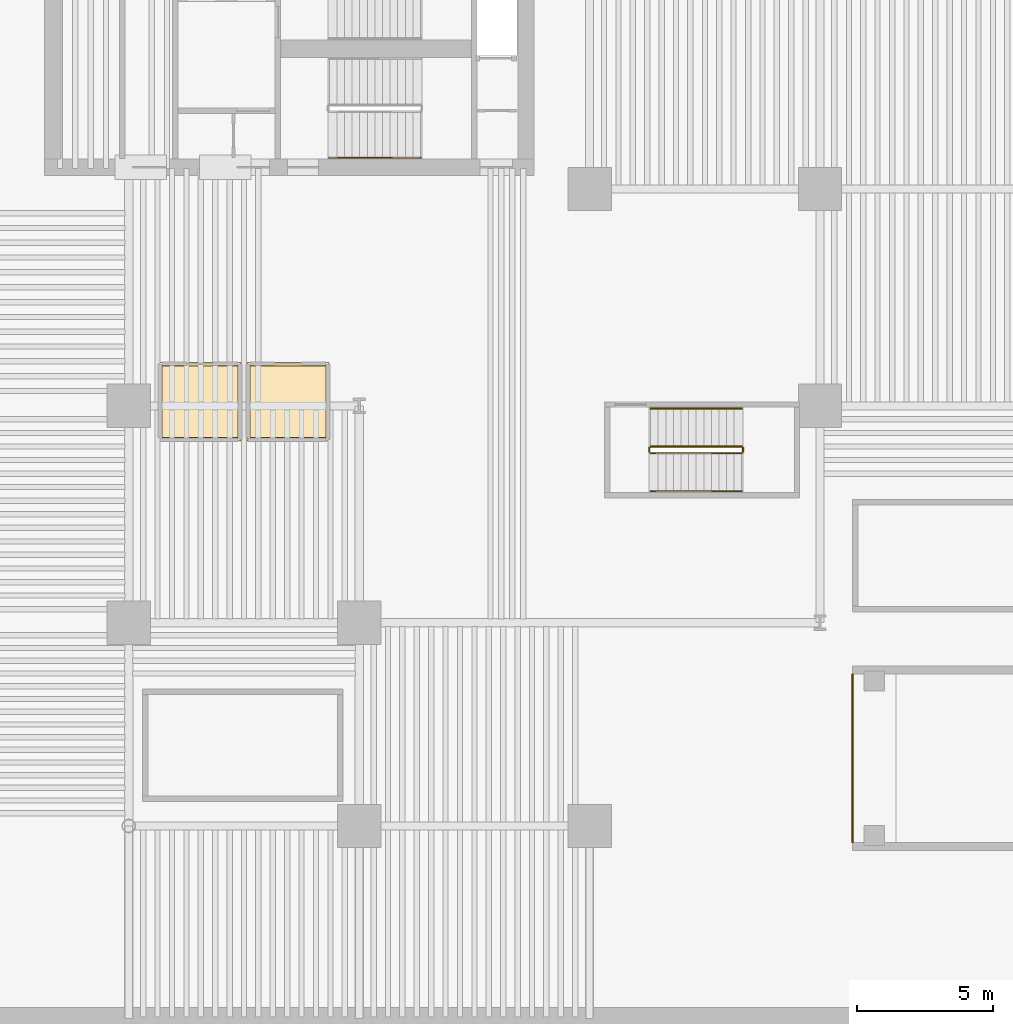
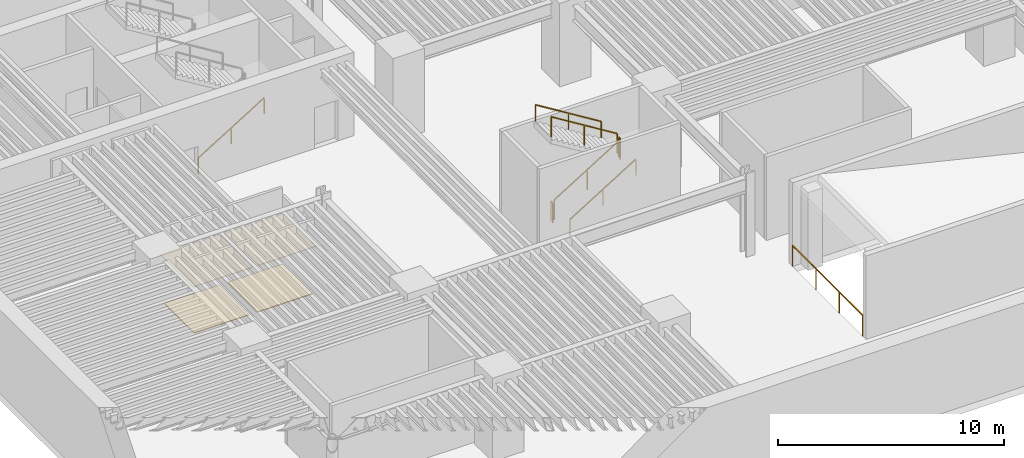
# One storey, part 6 of 9: 8 railings, 4 coverings.
"""IFC4 building model written with IfcOpenShell, lengths in metres."""

from ifc_helpers import new_model, si_unit, direction, frame, origin, origin_2d, place, context, subcontext, project, spatial, polyline, rectangle, outline, extrude, material, layer, layer_set, type_object, element, save


model = new_model("IFC4")

# Units and contexts
model_context = context("Model", 3, precision=1e-05, world=origin(), true_north=direction((0.0, 1.0)))
body_context = subcontext(model_context, "Body", "Model", "MODEL_VIEW")
ifc_project = project(units=[si_unit("LENGTHUNIT", "METRE"), si_unit("AREAUNIT", "SQUARE_METRE"), si_unit("VOLUMEUNIT", "CUBIC_METRE"), si_unit("PLANEANGLEUNIT", "RADIAN"), si_unit("MASSUNIT", "GRAM", prefix="KILO")], contexts=[model_context])

# Site, building, storey
site_placement = place(None, origin())
site = spatial("IfcSite", under=ifc_project, at=site_placement, CompositionType="ELEMENT")
building_placement = place(site_placement, origin())
building = spatial("IfcBuilding", under=site, at=building_placement, Name="Caeloran Harvest Quay", CompositionType="ELEMENT")
storey_placement = place(building_placement, frame((0.0, 0.0, -13.5)))
storey = spatial("IfcBuildingStorey", under=building, at=storey_placement, Name="B03", CompositionType="ELEMENT", Elevation=-13.5)

# Coverings
ifc_material_1 = material(Name="Perforated Mineral-Fibre Acoustic Ceiling Tile", Category="ceiling")
ifc_layer_1 = layer(ifc_material_1, 0.0400390625, Name="Perforated Mineral-Fibre Acoustic Ceiling Tile")
ifc_layer_set_1 = layer_set([ifc_layer_1], Name="Perforated Mineral-Fibre Acoustic Ceiling Tile")
covering_type_1 = type_object("IfcCoveringType", Name="COV-CEILING-ACOUSTIC", PredefinedType="CEILING", material=ifc_layer_set_1)
covering_1_placement = place(storey_placement, frame((0.0, 0.0, 2.60009765625)))
element("IfcCovering", 1, at=covering_1_placement, inside=storey, type_object=covering_type_1, Name="B03 Car Park Male Washroom WC Acoustic Ceiling", PredefinedType="CEILING", context=body_context, shape_type="SweptSolid", body=[
    extrude(outline(polyline([(12.639892578125, 24.590087890625), (12.639892578125, 21.7099609375), (9.610107421875, 21.7099609375), (9.610107421875, 24.590087890625), (12.639892578125, 24.590087890625)])), origin(), (0.0, 0.0, 1.0), 0.039794921875),
])
covering_2_placement = place(storey_placement, frame((0.0, 0.0, 2.60009765625)))
element("IfcCovering", 2, at=covering_2_placement, inside=storey, type_object=covering_type_1, Name="B03 Accessible Unisex Washroom WC Acoustic Ceiling", PredefinedType="CEILING", context=body_context, shape_type="SweptSolid", body=[
    extrude(outline(polyline([(15.889892578125, 24.590087890625), (15.889892578125, 21.7099609375), (12.860107421875, 21.7099609375), (12.860107421875, 24.590087890625), (15.889892578125, 24.590087890625)])), origin(), (0.0, 0.0, 1.0), 0.039794921875),
])
ifc_material_2 = material(Name="Calcium-Sulphate Raised Access Floor and Terrazzo Finish", Category="flooring")
ifc_layer_2 = layer(ifc_material_2, 0.050048828125, Name="Calcium-Sulphate Raised Access Floor and Terrazzo Finish")
ifc_layer_set_2 = layer_set([ifc_layer_2], Name="Calcium-Sulphate Raised Access Floor and Terrazzo Finish")
covering_type_2 = type_object("IfcCoveringType", Name="COV-FLOOR-RAISED", PredefinedType="FLOORING", material=ifc_layer_set_2)
covering_3_placement = place(storey_placement, origin())
element("IfcCovering", 3, at=covering_3_placement, inside=storey, type_object=covering_type_2, Name="B03 Car Park Male Washroom WC Raised Finish Flooring", PredefinedType="FLOORING", context=body_context, shape_type="SweptSolid", body=[
    extrude(outline(polyline([(12.52001953125, 24.469970703125), (12.52001953125, 21.830078125), (9.72998046875, 21.830078125), (9.72998046875, 24.469970703125), (12.52001953125, 24.469970703125)])), origin(), (0.0, 0.0, 1.0), 0.050048828125),
])
covering_4_placement = place(storey_placement, origin())
element("IfcCovering", 4, at=covering_4_placement, inside=storey, type_object=covering_type_2, Name="B03 Accessible Unisex Washroom WC Raised Finish Flooring", PredefinedType="FLOORING", context=body_context, shape_type="SweptSolid", body=[
    extrude(outline(polyline([(15.77001953125, 24.469970703125), (15.77001953125, 21.830078125), (12.97998046875, 21.830078125), (12.97998046875, 24.469970703125), (15.77001953125, 24.469970703125)])), origin(), (0.0, 0.0, 1.0), 0.050048828125),
])

# Railings
ifc_material_3 = material(Name="Powder-Coated Steel Post and Laminated Glass Guardrail", Category="steel")
ifc_layer_3 = layer(ifc_material_3, 0.06005859375, Name="Powder-Coated Steel Post and Laminated Glass Guardrail")
ifc_layer_set_3 = layer_set([ifc_layer_3], Name="Powder-Coated Steel Post and Laminated Glass Guardrail")
railing_type_1 = type_object("IfcRailingType", Name="GUARD-ATRIUM-1150", PredefinedType="GUARDRAIL", material=ifc_layer_set_3)
railing_1_placement = place(storey_placement, frame((35.199951171875, 6.89990234375, 0.0)))
element("IfcRailing", 5, at=railing_1_placement, inside=storey, type_object=railing_type_1, Name="B03 Vehicle Ramp Opening End Guard", PredefinedType="GUARDRAIL", context=body_context, shape_type="SweptSolid", body=[
    extrude(rectangle(XDim=0.048095703125, YDim=0.048095703125, at=origin_2d()), frame((0.0, 0.0, 1.1259765625), z_axis=(0.0, 1.0, 0.0), x_axis=(-1.0, 0.0, 0.0)), (0.0, 0.0, 1.0), 6.2001953125),
    extrude(rectangle(XDim=0.0419921875, YDim=0.0419921875, at=origin_2d()), origin(), (0.0, 0.0, 1.0), 1.101806640625),
    extrude(rectangle(XDim=0.0419921875, YDim=0.0419921875, at=origin_2d()), frame((0.0, 2.066650390625, 0.0)), (0.0, 0.0, 1.0), 1.101806640625),
    extrude(rectangle(XDim=0.0419921875, YDim=0.0419921875, at=origin_2d()), frame((0.0, 4.133544921875, 0.0)), (0.0, 0.0, 1.0), 1.101806640625),
    extrude(rectangle(XDim=0.0419921875, YDim=0.0419921875, at=origin_2d()), frame((0.0, 6.2001953125, 0.0)), (0.0, 0.0, 1.0), 1.101806640625),
])
ifc_material_4 = material(Name="Painted Steel Baluster and Top-Rail Stair Guard", Category="steel")
ifc_layer_4 = layer(ifc_material_4, 0.050048828125, Name="Painted Steel Baluster and Top-Rail Stair Guard")
ifc_layer_set_4 = layer_set([ifc_layer_4], Name="Painted Steel Baluster and Top-Rail Stair Guard")
railing_type_2 = type_object("IfcRailingType", Name="STAIR-GUARD-1100", PredefinedType="GUARDRAIL", material=ifc_layer_set_4)
railing_2_placement = place(storey_placement, frame((27.75, 21.25, 0.173095703125)))
element("IfcRailing", 6, at=railing_2_placement, inside=storey, type_object=railing_type_2, Name="B03 ST-W1 stair guard 1", PredefinedType="GUARDRAIL", context=body_context, shape_type="SweptSolid", body=[
    extrude(rectangle(XDim=0.048095703125, YDim=0.048095703125, at=origin_2d()), frame((0.0, 0.0, 1.076171875), z_axis=(0.850623216509, 0.0, 0.525775754039), x_axis=(0.0, 1.0, 0.0)), (0.0, 0.0, 1.0), 3.9501953125),
    extrude(rectangle(XDim=0.0419921875, YDim=0.0419921875, at=origin_2d()), origin(), (0.0, 0.0, 1.0), 1.052001953125),
    extrude(rectangle(XDim=0.0419921875, YDim=0.0419921875, at=origin_2d()), frame((1.68017578125, 0.0, 1.03857421875)), (0.0, 0.0, 1.0), 1.052001953125),
    extrude(rectangle(XDim=0.0419921875, YDim=0.0419921875, at=origin_2d()), frame((3.360107421875, 0.0, 2.076904296875)), (0.0, 0.0, 1.0), 1.052001953125),
])
railing_3_placement = place(storey_placement, frame((31.159912109375, 21.300048828125, 2.25)))
element("IfcRailing", 7, at=railing_3_placement, inside=storey, type_object=railing_type_2, Name="B03 ST-W1 stair guard 2", PredefinedType="GUARDRAIL", context=body_context, shape_type="SweptSolid", body=[
    extrude(rectangle(XDim=0.048095703125, YDim=0.048095703125, at=origin_2d()), frame((0.0, 0.0, 1.076171875), z_axis=(0.0, 1.0, 0.0), x_axis=(-1.0, 0.0, 0.0)), (0.0, 0.0, 1.0), 0.14990234375),
    extrude(rectangle(XDim=0.0419921875, YDim=0.0419921875, at=origin_2d()), origin(), (0.0, 0.0, 1.0), 1.052001953125),
    extrude(rectangle(XDim=0.0419921875, YDim=0.0419921875, at=origin_2d()), frame((0.0, 0.14990234375, 0.0)), (0.0, 0.0, 1.0), 1.052001953125),
])
railing_4_placement = place(storey_placement, frame((31.110107421875, 21.5, 2.423095703125)))
element("IfcRailing", 8, at=railing_4_placement, inside=storey, type_object=railing_type_2, Name="B03 ST-W1 stair guard 3", PredefinedType="GUARDRAIL", context=body_context, shape_type="SweptSolid", body=[
    extrude(rectangle(XDim=0.048095703125, YDim=0.048095703125, at=origin_2d()), frame((0.0, 0.0, 1.076171875), z_axis=(-0.850623216509, 0.0, 0.525775754039), x_axis=(0.0, -1.0, 0.0)), (0.0, 0.0, 1.0), 3.9501953125),
    extrude(rectangle(XDim=0.0419921875, YDim=0.0419921875, at=origin_2d()), origin(), (0.0, 0.0, 1.0), 1.052001953125),
    extrude(rectangle(XDim=0.0419921875, YDim=0.0419921875, at=origin_2d()), frame((-1.68017578125, 0.0, 1.03857421875)), (0.0, 0.0, 1.0), 1.052001953125),
    extrude(rectangle(XDim=0.0419921875, YDim=0.0419921875, at=origin_2d()), frame((-3.360107421875, 0.0, 2.076904296875)), (0.0, 0.0, 1.0), 1.052001953125),
])
railing_5_placement = place(storey_placement, frame((27.699951171875, 21.300048828125, 0.0)))
element("IfcRailing", 9, at=railing_5_placement, inside=storey, type_object=railing_type_2, Name="B03 ST-W1 stair guard 4", PredefinedType="GUARDRAIL", context=body_context, shape_type="SweptSolid", body=[
    extrude(rectangle(XDim=0.048095703125, YDim=0.048095703125, at=origin_2d()), frame((0.0, 0.0, 1.076171875), z_axis=(0.0, 1.0, 0.0), x_axis=(-1.0, 0.0, 0.0)), (0.0, 0.0, 1.0), 0.14990234375),
    extrude(rectangle(XDim=0.0419921875, YDim=0.0419921875, at=origin_2d()), origin(), (0.0, 0.0, 1.0), 1.052001953125),
    extrude(rectangle(XDim=0.0419921875, YDim=0.0419921875, at=origin_2d()), frame((0.0, 0.14990234375, 0.0)), (0.0, 0.0, 1.0), 1.052001953125),
])
ifc_material_5 = material(Name="Brushed Stainless Steel Grade 304", Category="steel")
ifc_layer_5 = layer(ifc_material_5, 0.050048828125, Name="Brushed Stainless Steel Grade 304")
ifc_layer_set_5 = layer_set([ifc_layer_5], Name="Brushed Stainless Steel Grade 304")
railing_type_3 = type_object("IfcRailingType", Name="STAIR-HANDRAIL-900", PredefinedType="HANDRAIL", material=ifc_layer_set_5)
for number, where, name in (
    (10, (15.89990234375, 32.14990234375, 0.173095703125), "B03 ST-C2 stair handrail 1"),
    (11, (27.75, 19.85009765625, 0.173095703125), "B03 ST-W1 stair handrail 1"),
):
    element("IfcRailing", number, at=place(storey_placement, frame(where)), inside=storey, type_object=railing_type_3, Name=name, PredefinedType="HANDRAIL", context=body_context, shape_type="SweptSolid", body=[
        extrude(rectangle(XDim=0.048095703125, YDim=0.048095703125, at=origin_2d()), frame((0.0, 0.0, 0.8759765625), z_axis=(0.850623216509, 0.0, 0.525775754039), x_axis=(0.0, 1.0, 0.0)), (0.0, 0.0, 1.0), 3.9501953125),
        extrude(rectangle(XDim=0.0419921875, YDim=0.0419921875, at=origin_2d()), origin(), (0.0, 0.0, 1.0), 0.851806640625),
        extrude(rectangle(XDim=0.0419921875, YDim=0.0419921875, at=origin_2d()), frame((1.68017578125, 0.0, 1.03857421875)), (0.0, 0.0, 1.0), 0.851806640625),
        extrude(rectangle(XDim=0.0419921875, YDim=0.0419921875, at=origin_2d()), frame((3.360107421875, 0.0, 2.076904296875)), (0.0, 0.0, 1.0), 0.851806640625),
    ])
railing_6_placement = place(storey_placement, frame((31.110107421875, 22.89990234375, 2.423095703125)))
element("IfcRailing", 12, at=railing_6_placement, inside=storey, type_object=railing_type_3, Name="B03 ST-W1 stair handrail 2", PredefinedType="HANDRAIL", context=body_context, shape_type="SweptSolid", body=[
    extrude(rectangle(XDim=0.048095703125, YDim=0.048095703125, at=origin_2d()), frame((0.0, 0.0, 0.8759765625), z_axis=(-0.850623216509, 0.0, 0.525775754039), x_axis=(0.0, -1.0, 0.0)), (0.0, 0.0, 1.0), 3.9501953125),
    extrude(rectangle(XDim=0.0419921875, YDim=0.0419921875, at=origin_2d()), origin(), (0.0, 0.0, 1.0), 0.851806640625),
    extrude(rectangle(XDim=0.0419921875, YDim=0.0419921875, at=origin_2d()), frame((-1.68017578125, 0.0, 1.03857421875)), (0.0, 0.0, 1.0), 0.851806640625),
    extrude(rectangle(XDim=0.0419921875, YDim=0.0419921875, at=origin_2d()), frame((-3.360107421875, 0.0, 2.076904296875)), (0.0, 0.0, 1.0), 0.851806640625),
])

save(model, "model.ifc")
